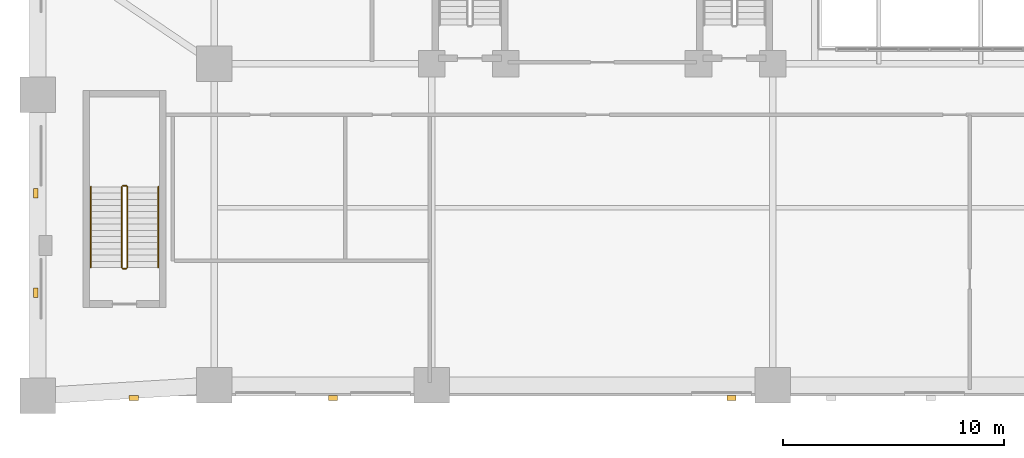
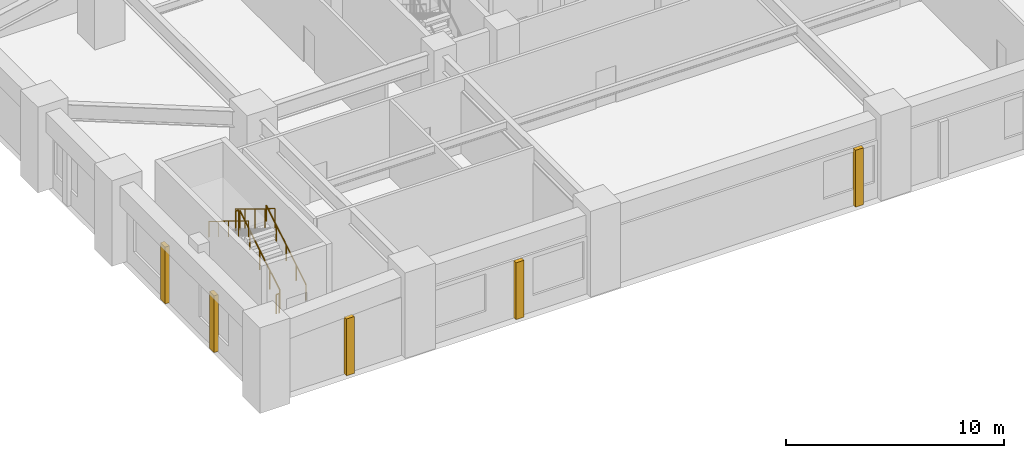
# One storey, part 8 of 11: 6 railings, 5 coverings.
"""IFC4 building model written with IfcOpenShell, lengths in metres."""

from ifc_helpers import new_model, si_unit, derived_unit, direction, frame, origin, origin_2d, place, context, subcontext, project, spatial, rectangle, circle, extrude, material, layer, layer_set, type_object, element, save


model = new_model("IFC4")

# Units and contexts
model_context = context("Model", 3, precision=1e-05, world=origin(), true_north=direction((0.0, 1.0)))
body_context = subcontext(model_context, "Body", "Model", "MODEL_VIEW")
ifc_project = project(units=[si_unit("LENGTHUNIT", "METRE"), si_unit("AREAUNIT", "SQUARE_METRE"), si_unit("VOLUMEUNIT", "CUBIC_METRE"), si_unit("PLANEANGLEUNIT", "RADIAN"), si_unit("MASSUNIT", "GRAM", prefix="KILO"), derived_unit("THERMALTRANSMITTANCEUNIT", [(si_unit("MASSUNIT", "GRAM", prefix="KILO"), 1), (si_unit("TIMEUNIT", "SECOND"), -3), (si_unit("THERMODYNAMICTEMPERATUREUNIT", "KELVIN"), -1)])], contexts=[model_context])

# Site, building, storey
site_placement = place(None, origin())
site = spatial("IfcSite", under=ifc_project, at=site_placement, CompositionType="ELEMENT")
building_placement = place(site_placement, origin())
building = spatial("IfcBuilding", under=site, at=building_placement, Name="Korrvale Station Residences", CompositionType="ELEMENT")
storey_placement = place(building_placement, frame((0.0, 0.0, 16.0)))
storey = spatial("IfcBuildingStorey", under=building, at=storey_placement, Name="L03", CompositionType="ELEMENT", Elevation=16.0)

# Coverings
ifc_material_1 = material(Name="Architectural precast concrete C45/55", Category="concrete")
ifc_layer = layer(ifc_material_1, 0.219970703125, Name="Architectural precast concrete C45/55")
ifc_layer_set = layer_set([ifc_layer], Name="Architectural precast concrete C45/55")
covering_type = type_object("IfcCoveringType", Name="COV-PIER-400", PredefinedType="CLADDING", material=ifc_layer_set)
for number, where, z_axis, x_axis, name in (
    (1, (31.340087890625, -0.090087890625, 0.02490234375), (0.0, 0.0, 1.0), (1.0, 0.0, 0.0), "L03 Architectural Precast Facade Pier 04"),
    (2, (13.340087890625, -0.090087890625, 0.02490234375), (0.0, 0.0, 1.0), (1.0, 0.0, 0.0), "L03 Architectural Precast Facade Pier 05"),
    (3, (4.340087890625, -0.090087890625, 0.02490234375), (0.0, 0.0, 1.0), (1.0, 0.0, 0.0), "L03 Architectural Precast Facade Pier 06"),
    (4, (-0.090087890625, 4.659912109375, 0.02490234375), (0.0, 0.0, 1.0), (0.0, 1.0, 0.0), "L03 Architectural Precast Facade Pier 13"),
    (5, (-0.090087890625, 9.159912109375, 0.02490234375), (0.0, 0.0, 1.0), (0.0, 1.0, 0.0), "L03 Architectural Precast Facade Pier 14"),
):
    element("IfcCovering", number, at=place(storey_placement, frame(where, z_axis=z_axis, x_axis=x_axis)), inside=storey, type_object=covering_type, Name=name, PredefinedType="CLADDING", context=body_context, shape_type="SweptSolid", body=[
        extrude(rectangle(XDim=0.419921875, YDim=0.219970703125, at=origin_2d()), origin(), (0.0, 0.0, 1.0), 3.18505859375),
    ])

# Railings
ifc_material_2 = material(Name="Brushed stainless-steel continuous stair handrail", Category="steel")
railing_type_1 = type_object("IfcRailingType", Name="RLG-SHND-900", PredefinedType="HANDRAIL", material=ifc_material_2)
railing_1_placement = place(storey_placement, frame((5.449951171875, 5.800048828125, 0.17138671875)))
element("IfcRailing", 6, at=railing_1_placement, inside=storey, type_object=railing_type_1, Name="L03 ST-3 stair handrail 1", PredefinedType="HANDRAIL", context=body_context, shape_type="SweptSolid", body=[
    extrude(circle(Radius=0.02392578125, at=origin_2d()), frame((0.0, 0.0, 0.8759765625), z_axis=(0.0, 0.852850264322, 0.5221555579), x_axis=(-1.0, 0.0, 0.0)), (0.0, 0.0, 1.0), 4.267822265625),
    extrude(circle(Radius=0.02099609375, at=origin_2d()), origin(), (0.0, 0.0, 1.0), 0.851806640625),
    extrude(circle(Radius=0.02099609375, at=origin_2d()), frame((0.0, 0.909912109375, 0.55712890625)), (0.0, 0.0, 1.0), 0.851806640625),
    extrude(circle(Radius=0.02099609375, at=origin_2d()), frame((0.0, 1.81982421875, 1.1142578125)), (0.0, 0.0, 1.0), 0.851806640625),
    extrude(circle(Radius=0.02099609375, at=origin_2d()), frame((0.0, 2.72998046875, 1.67138671875)), (0.0, 0.0, 1.0), 0.851806640625),
    extrude(circle(Radius=0.02099609375, at=origin_2d()), frame((0.0, 3.639892578125, 2.228515625)), (0.0, 0.0, 1.0), 0.851806640625),
])
railing_2_placement = place(storey_placement, frame((2.39990234375, 9.43994140625, 2.571533203125)))
element("IfcRailing", 7, at=railing_2_placement, inside=storey, type_object=railing_type_1, Name="L03 ST-3 stair handrail 2", PredefinedType="HANDRAIL", context=body_context, shape_type="SweptSolid", body=[
    extrude(circle(Radius=0.02392578125, at=origin_2d()), frame((0.0, 0.0, 0.8759765625), z_axis=(0.0, -0.852850264322, 0.5221555579), x_axis=(1.0, 0.0, 0.0)), (0.0, 0.0, 1.0), 4.267822265625),
    extrude(circle(Radius=0.02099609375, at=origin_2d()), origin(), (0.0, 0.0, 1.0), 0.851806640625),
    extrude(circle(Radius=0.02099609375, at=origin_2d()), frame((0.0, -0.909912109375, 0.55712890625)), (0.0, 0.0, 1.0), 0.851806640625),
    extrude(circle(Radius=0.02099609375, at=origin_2d()), frame((0.0, -1.81982421875, 1.1142578125)), (0.0, 0.0, 1.0), 0.851806640625),
    extrude(circle(Radius=0.02099609375, at=origin_2d()), frame((0.0, -2.72998046875, 1.67138671875)), (0.0, 0.0, 1.0), 0.851806640625),
    extrude(circle(Radius=0.02099609375, at=origin_2d()), frame((0.0, -3.639892578125, 2.228515625)), (0.0, 0.0, 1.0), 0.851806640625),
])
ifc_material_3 = material(Name="Galvanised painted tubular steel stair guard", Category="steel")
railing_type_2 = type_object("IfcRailingType", Name="RLG-STR-1100", PredefinedType="GUARDRAIL", material=ifc_material_3)
railing_3_placement = place(storey_placement, frame((4.050048828125, 5.800048828125, 0.17138671875)))
element("IfcRailing", 8, at=railing_3_placement, inside=storey, type_object=railing_type_2, Name="L03 ST-3 stair guard 1", PredefinedType="GUARDRAIL", context=body_context, shape_type="SweptSolid", body=[
    extrude(circle(Radius=0.02392578125, at=origin_2d()), frame((0.0, 0.0, 1.076171875), z_axis=(0.0, 0.852850264322, 0.5221555579), x_axis=(-1.0, 0.0, 0.0)), (0.0, 0.0, 1.0), 4.267822265625),
    extrude(circle(Radius=0.02099609375, at=origin_2d()), origin(), (0.0, 0.0, 1.0), 1.052001953125),
    extrude(circle(Radius=0.02099609375, at=origin_2d()), frame((0.0, 0.909912109375, 0.55712890625)), (0.0, 0.0, 1.0), 1.052001953125),
    extrude(circle(Radius=0.02099609375, at=origin_2d()), frame((0.0, 1.81982421875, 1.1142578125)), (0.0, 0.0, 1.0), 1.052001953125),
    extrude(circle(Radius=0.02099609375, at=origin_2d()), frame((0.0, 2.72998046875, 1.67138671875)), (0.0, 0.0, 1.0), 1.052001953125),
    extrude(circle(Radius=0.02099609375, at=origin_2d()), frame((0.0, 3.639892578125, 2.228515625)), (0.0, 0.0, 1.0), 1.052001953125),
])
railing_4_placement = place(storey_placement, frame((4.0, 9.489990234375, 2.39990234375)))
element("IfcRailing", 9, at=railing_4_placement, inside=storey, type_object=railing_type_2, Name="L03 ST-3 stair guard 2", PredefinedType="GUARDRAIL", context=body_context, shape_type="SweptSolid", body=[
    extrude(circle(Radius=0.02392578125, at=origin_2d()), frame((0.0, 0.0, 1.076171875), z_axis=(-1.0, 0.0, 0.0), x_axis=(0.0, -1.0, 0.0)), (0.0, 0.0, 1.0), 0.14990234375),
    extrude(circle(Radius=0.02099609375, at=origin_2d()), origin(), (0.0, 0.0, 1.0), 1.052001953125),
    extrude(circle(Radius=0.02099609375, at=origin_2d()), frame((-0.14990234375, 0.0, 0.0)), (0.0, 0.0, 1.0), 1.052001953125),
])
railing_5_placement = place(storey_placement, frame((3.800048828125, 9.43994140625, 2.571533203125)))
element("IfcRailing", 10, at=railing_5_placement, inside=storey, type_object=railing_type_2, Name="L03 ST-3 stair guard 3", PredefinedType="GUARDRAIL", context=body_context, shape_type="SweptSolid", body=[
    extrude(circle(Radius=0.02392578125, at=origin_2d()), frame((0.0, 0.0, 1.076171875), z_axis=(0.0, -0.852850264322, 0.5221555579), x_axis=(1.0, 0.0, 0.0)), (0.0, 0.0, 1.0), 4.267822265625),
    extrude(circle(Radius=0.02099609375, at=origin_2d()), origin(), (0.0, 0.0, 1.0), 1.052001953125),
    extrude(circle(Radius=0.02099609375, at=origin_2d()), frame((0.0, -0.909912109375, 0.55712890625)), (0.0, 0.0, 1.0), 1.052001953125),
    extrude(circle(Radius=0.02099609375, at=origin_2d()), frame((0.0, -1.81982421875, 1.1142578125)), (0.0, 0.0, 1.0), 1.052001953125),
    extrude(circle(Radius=0.02099609375, at=origin_2d()), frame((0.0, -2.72998046875, 1.67138671875)), (0.0, 0.0, 1.0), 1.052001953125),
    extrude(circle(Radius=0.02099609375, at=origin_2d()), frame((0.0, -3.639892578125, 2.228515625)), (0.0, 0.0, 1.0), 1.052001953125),
])
railing_6_placement = place(storey_placement, frame((4.0, 5.75, 0.0)))
element("IfcRailing", 11, at=railing_6_placement, inside=storey, type_object=railing_type_2, Name="L03 ST-3 stair guard 4", PredefinedType="GUARDRAIL", context=body_context, shape_type="SweptSolid", body=[
    extrude(circle(Radius=0.02392578125, at=origin_2d()), frame((0.0, 0.0, 1.076171875), z_axis=(-1.0, 0.0, 0.0), x_axis=(0.0, -1.0, 0.0)), (0.0, 0.0, 1.0), 0.14990234375),
    extrude(circle(Radius=0.02099609375, at=origin_2d()), origin(), (0.0, 0.0, 1.0), 1.052001953125),
    extrude(circle(Radius=0.02099609375, at=origin_2d()), frame((-0.14990234375, 0.0, 0.0)), (0.0, 0.0, 1.0), 1.052001953125),
])

save(model, "model.ifc")
